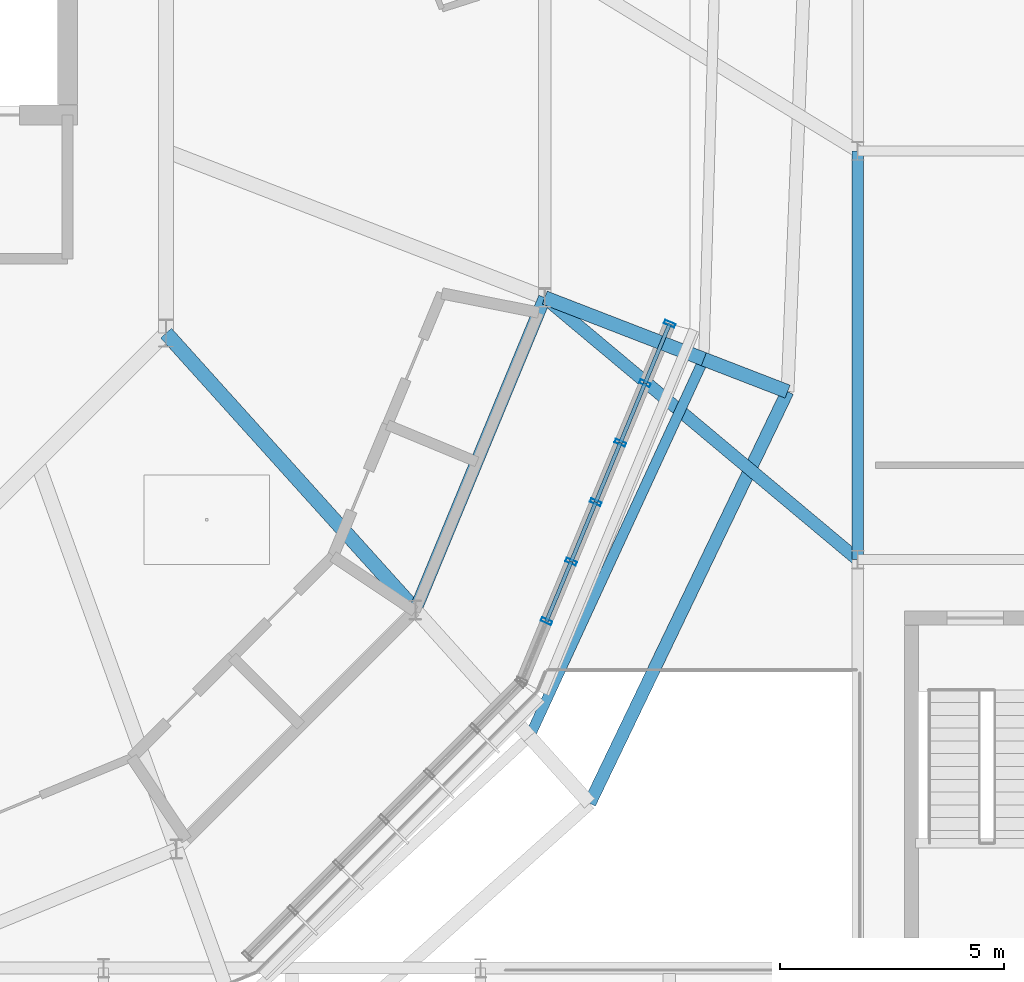
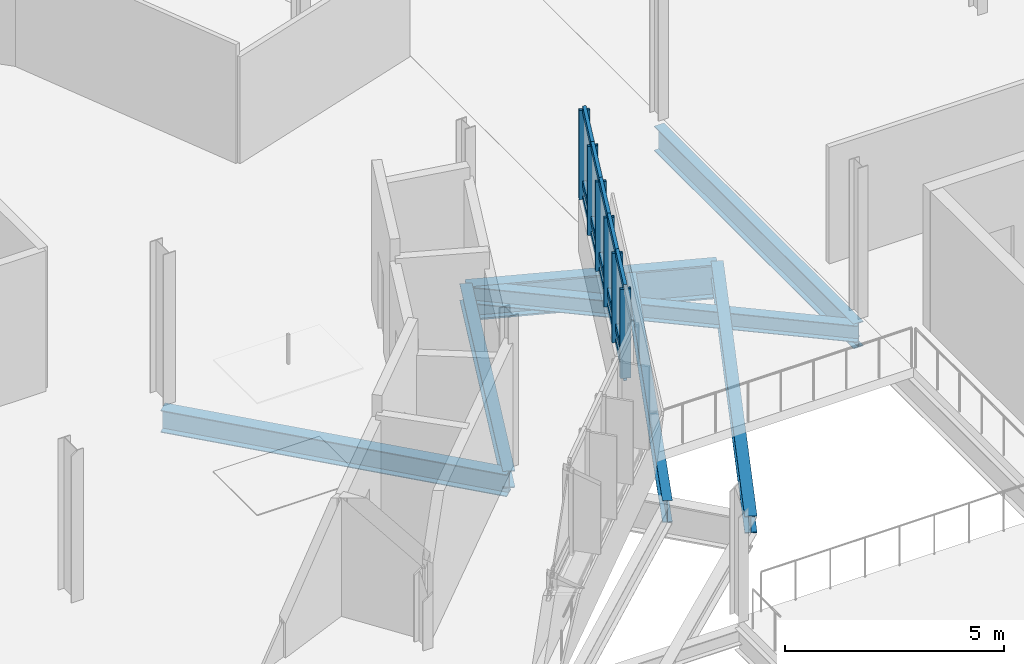
# One storey, part 25 of 107: 21 members, 8 beams, 1 element without a shape of its own.
"""IFC4 building model written with IfcOpenShell, lengths in metres."""

from ifc_helpers import new_model, si_unit, derived_unit, direction, frame, origin, origin_2d, place, context, subcontext, project, spatial, hollow_rectangle, i_section, extrude, material, layer, layer_set, material_profile, profile_set, type_object, element, aggregate, save


model = new_model("IFC4")

# Units and contexts
model_context = context("Model", 3, precision=1e-05, world=origin(), true_north=direction((0.0, 1.0)))
body_context = subcontext(model_context, "Body", "Model", "MODEL_VIEW")
ifc_project = project(units=[si_unit("LENGTHUNIT", "METRE"), si_unit("AREAUNIT", "SQUARE_METRE"), si_unit("VOLUMEUNIT", "CUBIC_METRE"), si_unit("PLANEANGLEUNIT", "RADIAN"), si_unit("MASSUNIT", "GRAM", prefix="KILO"), derived_unit("THERMALTRANSMITTANCEUNIT", [(si_unit("MASSUNIT", "GRAM", prefix="KILO"), 1), (si_unit("TIMEUNIT", "SECOND"), -3), (si_unit("THERMODYNAMICTEMPERATUREUNIT", "KELVIN"), -1)])], contexts=[model_context])

# Site, building, storey
site_placement = place(None, origin())
site = spatial("IfcSite", under=ifc_project, at=site_placement, CompositionType="ELEMENT")
building_placement = place(site_placement, origin())
building = spatial("IfcBuilding", under=site, at=building_placement, Name="Makaiwela Harbour Ferry Terminal", CompositionType="ELEMENT")
storey_placement = place(building_placement, frame((0.0, 0.0, 9.60009765625)))
storey = spatial("IfcBuildingStorey", under=building, at=storey_placement, Name="L02", CompositionType="ELEMENT", Elevation=9.60009765625)

# Curtain wall, members
ifc_material_1 = material(Name="Marine anodised aluminium 6063-T6", Category="aluminium")
ifc_layer = layer(ifc_material_1, 0.199951171875)
ifc_layer_set = layer_set([ifc_layer], Name="Marine anodised aluminium 6063-T6")
curtain_wall_type = type_object("IfcCurtainWallType", Name="ENV-CW-04", PredefinedType="USERDEFINED", material=ifc_layer_set)
curtain_wall_placement = place(storey_placement, origin())
curtain_wall = element("IfcCurtainWall", 1, at=curtain_wall_placement, inside=storey, type_object=curtain_wall_type, Name="Unitised Curtain Wall CWA-028", ObjectType="UNITIZED CURTAIN WALL", PredefinedType="USERDEFINED")
ifc_material_profile_1 = material_profile(ifc_material_1, hollow_rectangle(XDim=0.0849609375, YDim=0.25, WallThickness=0.0048828125, at=origin_2d()), Name="CWM-250X85")
ifc_profile_set_1 = profile_set([ifc_material_profile_1], Name="Marine anodised aluminium 6063-T6")
member_type_1 = type_object("IfcMemberType", Name="CW-MUL-250", PredefinedType="MULLION", material=ifc_profile_set_1)
member_1_placement = place(storey_placement, frame((56.068603515625, 57.128662109375, 1.47998046875), z_axis=(0.0, 0.0, 1.0), x_axis=(0.382683432365, 0.923879532511, 0.0)))
member_1 = element("IfcMember", 2, at=member_1_placement, type_object=member_type_1, Name="Curtain Wall Mullion CWA-028-2", PredefinedType="MULLION", context=body_context, shape_type="SweptSolid", body=[
    extrude(hollow_rectangle(XDim=0.0849609375, YDim=0.25, WallThickness=0.0048828125, at=origin_2d()), origin(), (0.0, 0.0, 1.0), 2.47998046875),
])
member_2_placement = place(storey_placement, frame((56.617431640625, 58.453125, 1.47998046875), z_axis=(0.0, 0.0, 1.0), x_axis=(0.382683432365, 0.923879532511, 0.0)))
member_2 = element("IfcMember", 3, at=member_2_placement, type_object=member_type_1, Name="Curtain Wall Mullion CWA-028-3", PredefinedType="MULLION", context=body_context, shape_type="SweptSolid", body=[
    extrude(hollow_rectangle(XDim=0.0849609375, YDim=0.25, WallThickness=0.0048828125, at=origin_2d()), origin(), (0.0, 0.0, 1.0), 2.47998046875),
])
member_3_placement = place(storey_placement, frame((57.166015625, 59.777587890625, 1.47998046875), z_axis=(0.0, 0.0, 1.0), x_axis=(0.382683432365, 0.923879532511, 0.0)))
member_3 = element("IfcMember", 4, at=member_3_placement, type_object=member_type_1, Name="Curtain Wall Mullion CWA-028-4", PredefinedType="MULLION", context=body_context, shape_type="SweptSolid", body=[
    extrude(hollow_rectangle(XDim=0.0849609375, YDim=0.25, WallThickness=0.0048828125, at=origin_2d()), origin(), (0.0, 0.0, 1.0), 2.47998046875),
])
member_4_placement = place(storey_placement, frame((57.714599609375, 61.102294921875, 1.47998046875), z_axis=(0.0, 0.0, 1.0), x_axis=(0.382683432365, 0.923879532511, 0.0)))
member_4 = element("IfcMember", 5, at=member_4_placement, type_object=member_type_1, Name="Curtain Wall Mullion CWA-028-5", PredefinedType="MULLION", context=body_context, shape_type="SweptSolid", body=[
    extrude(hollow_rectangle(XDim=0.0849609375, YDim=0.25, WallThickness=0.0048828125, at=origin_2d()), origin(), (0.0, 0.0, 1.0), 2.47998046875),
])
member_5_placement = place(storey_placement, frame((58.26318359375, 62.4267578125, 1.47998046875), z_axis=(0.0, 0.0, 1.0), x_axis=(0.382683432365, 0.923879532511, 0.0)))
member_5 = element("IfcMember", 6, at=member_5_placement, type_object=member_type_1, Name="Curtain Wall Mullion CWA-028-6", PredefinedType="MULLION", context=body_context, shape_type="SweptSolid", body=[
    extrude(hollow_rectangle(XDim=0.0849609375, YDim=0.25, WallThickness=0.0048828125, at=origin_2d()), origin(), (0.0, 0.0, 1.0), 2.47998046875),
])
member_6_placement = place(storey_placement, frame((58.81201171875, 63.751220703125, 1.47998046875), z_axis=(0.0, 0.0, 1.0), x_axis=(0.382683432365, 0.923879532511, 0.0)))
member_6 = element("IfcMember", 7, at=member_6_placement, type_object=member_type_1, Name="Curtain Wall Mullion CWA-028-7", PredefinedType="MULLION", context=body_context, shape_type="SweptSolid", body=[
    extrude(hollow_rectangle(XDim=0.0849609375, YDim=0.25, WallThickness=0.0048828125, at=origin_2d()), origin(), (0.0, 0.0, 1.0), 2.47998046875),
])
ifc_material_profile_2 = material_profile(ifc_material_1, hollow_rectangle(XDim=0.0849609375, YDim=0.199951171875, WallThickness=0.0048828125, at=origin_2d()), Name="CWT-200X85")
ifc_profile_set_2 = profile_set([ifc_material_profile_2], Name="Marine anodised aluminium 6063-T6")
member_type_2 = type_object("IfcMemberType", Name="CW-TRN-200", PredefinedType="USERDEFINED", material=ifc_profile_set_2)
member_7_placement = place(storey_placement, frame((56.068603515625, 57.128662109375, 1.47998046875), z_axis=(0.382812998896, 0.923825853652, 0.0), x_axis=(-0.923825853652, 0.382812998896, 0.0)))
member_7 = element("IfcMember", 8, at=member_7_placement, type_object=member_type_2, Name="Curtain Wall Transom CWA-028-2-1", ObjectType="TRANSOM", PredefinedType="USERDEFINED", context=body_context, shape_type="SweptSolid", body=[
    extrude(hollow_rectangle(XDim=0.0849609375, YDim=0.199951171875, WallThickness=0.0048828125, at=origin_2d()), origin(), (0.0, 0.0, 1.0), 1.43359375),
])
member_8_placement = place(storey_placement, frame((56.068603515625, 57.128662109375, 1.89990234375), z_axis=(0.382812998896, 0.923825853652, 0.0), x_axis=(-0.923825853652, 0.382812998896, 0.0)))
member_8 = element("IfcMember", 9, at=member_8_placement, type_object=member_type_2, Name="Curtain Wall Transom CWA-028-2-2", ObjectType="TRANSOM", PredefinedType="USERDEFINED", context=body_context, shape_type="SweptSolid", body=[
    extrude(hollow_rectangle(XDim=0.0849609375, YDim=0.199951171875, WallThickness=0.0048828125, at=origin_2d()), origin(), (0.0, 0.0, 1.0), 1.43359375),
])
member_9_placement = place(storey_placement, frame((56.068603515625, 57.128662109375, 3.9599609375), z_axis=(0.382812998896, 0.923825853652, 0.0), x_axis=(-0.923825853652, 0.382812998896, 0.0)))
member_9 = element("IfcMember", 10, at=member_9_placement, type_object=member_type_2, Name="Curtain Wall Transom CWA-028-2-3", ObjectType="TRANSOM", PredefinedType="USERDEFINED", context=body_context, shape_type="SweptSolid", body=[
    extrude(hollow_rectangle(XDim=0.0849609375, YDim=0.199951171875, WallThickness=0.0048828125, at=origin_2d()), origin(), (0.0, 0.0, 1.0), 1.43359375),
])
member_10_placement = place(storey_placement, frame((56.617431640625, 58.453125, 1.47998046875), z_axis=(0.382667649558, 0.923886069806, 0.0), x_axis=(-0.923886069806, 0.382667649558, 0.0)))
member_10 = element("IfcMember", 11, at=member_10_placement, type_object=member_type_2, Name="Curtain Wall Transom CWA-028-3-1", ObjectType="TRANSOM", PredefinedType="USERDEFINED", context=body_context, shape_type="SweptSolid", body=[
    extrude(hollow_rectangle(XDim=0.0849609375, YDim=0.199951171875, WallThickness=0.0048828125, at=origin_2d()), origin(), (0.0, 0.0, 1.0), 1.43359375),
])
member_11_placement = place(storey_placement, frame((56.617431640625, 58.453125, 1.89990234375), z_axis=(0.382667649558, 0.923886069806, 0.0), x_axis=(-0.923886069806, 0.382667649558, 0.0)))
member_11 = element("IfcMember", 12, at=member_11_placement, type_object=member_type_2, Name="Curtain Wall Transom CWA-028-3-2", ObjectType="TRANSOM", PredefinedType="USERDEFINED", context=body_context, shape_type="SweptSolid", body=[
    extrude(hollow_rectangle(XDim=0.0849609375, YDim=0.199951171875, WallThickness=0.0048828125, at=origin_2d()), origin(), (0.0, 0.0, 1.0), 1.43359375),
])
member_12_placement = place(storey_placement, frame((56.617431640625, 58.453125, 3.9599609375), z_axis=(0.382667649558, 0.923886069806, 0.0), x_axis=(-0.923886069806, 0.382667649558, 0.0)))
member_12 = element("IfcMember", 13, at=member_12_placement, type_object=member_type_2, Name="Curtain Wall Transom CWA-028-3-3", ObjectType="TRANSOM", PredefinedType="USERDEFINED", context=body_context, shape_type="SweptSolid", body=[
    extrude(hollow_rectangle(XDim=0.0849609375, YDim=0.199951171875, WallThickness=0.0048828125, at=origin_2d()), origin(), (0.0, 0.0, 1.0), 1.43359375),
])
member_13_placement = place(storey_placement, frame((57.166015625, 59.777587890625, 1.47998046875), z_axis=(0.382607449574, 0.923911001953, 0.0), x_axis=(-0.923911001953, 0.382607449574, 0.0)))
member_13 = element("IfcMember", 14, at=member_13_placement, type_object=member_type_2, Name="Curtain Wall Transom CWA-028-4-1", ObjectType="TRANSOM", PredefinedType="USERDEFINED", context=body_context, shape_type="SweptSolid", body=[
    extrude(hollow_rectangle(XDim=0.0849609375, YDim=0.199951171875, WallThickness=0.0048828125, at=origin_2d()), origin(), (0.0, 0.0, 1.0), 1.433837890625),
])
member_14_placement = place(storey_placement, frame((57.166015625, 59.777587890625, 1.89990234375), z_axis=(0.382607449574, 0.923911001953, 0.0), x_axis=(-0.923911001953, 0.382607449574, 0.0)))
member_14 = element("IfcMember", 15, at=member_14_placement, type_object=member_type_2, Name="Curtain Wall Transom CWA-028-4-2", ObjectType="TRANSOM", PredefinedType="USERDEFINED", context=body_context, shape_type="SweptSolid", body=[
    extrude(hollow_rectangle(XDim=0.0849609375, YDim=0.199951171875, WallThickness=0.0048828125, at=origin_2d()), origin(), (0.0, 0.0, 1.0), 1.433837890625),
])
member_15_placement = place(storey_placement, frame((57.166015625, 59.777587890625, 3.9599609375), z_axis=(0.382607449574, 0.923911001953, 0.0), x_axis=(-0.923911001953, 0.382607449574, 0.0)))
member_15 = element("IfcMember", 16, at=member_15_placement, type_object=member_type_2, Name="Curtain Wall Transom CWA-028-4-3", ObjectType="TRANSOM", PredefinedType="USERDEFINED", context=body_context, shape_type="SweptSolid", body=[
    extrude(hollow_rectangle(XDim=0.0849609375, YDim=0.199951171875, WallThickness=0.0048828125, at=origin_2d()), origin(), (0.0, 0.0, 1.0), 1.433837890625),
])
member_16_placement = place(storey_placement, frame((57.714599609375, 61.102294921875, 1.47998046875), z_axis=(0.382667649558, 0.923886069806, 0.0), x_axis=(-0.923886069806, 0.382667649558, 0.0)))
member_16 = element("IfcMember", 17, at=member_16_placement, type_object=member_type_2, Name="Curtain Wall Transom CWA-028-5-1", ObjectType="TRANSOM", PredefinedType="USERDEFINED", context=body_context, shape_type="SweptSolid", body=[
    extrude(hollow_rectangle(XDim=0.0849609375, YDim=0.199951171875, WallThickness=0.0048828125, at=origin_2d()), origin(), (0.0, 0.0, 1.0), 1.43359375),
])
member_17_placement = place(storey_placement, frame((57.714599609375, 61.102294921875, 1.89990234375), z_axis=(0.382667649558, 0.923886069806, 0.0), x_axis=(-0.923886069806, 0.382667649558, 0.0)))
member_17 = element("IfcMember", 18, at=member_17_placement, type_object=member_type_2, Name="Curtain Wall Transom CWA-028-5-2", ObjectType="TRANSOM", PredefinedType="USERDEFINED", context=body_context, shape_type="SweptSolid", body=[
    extrude(hollow_rectangle(XDim=0.0849609375, YDim=0.199951171875, WallThickness=0.0048828125, at=origin_2d()), origin(), (0.0, 0.0, 1.0), 1.43359375),
])
member_18_placement = place(storey_placement, frame((57.714599609375, 61.102294921875, 3.9599609375), z_axis=(0.382667649558, 0.923886069806, 0.0), x_axis=(-0.923886069806, 0.382667649558, 0.0)))
member_18 = element("IfcMember", 19, at=member_18_placement, type_object=member_type_2, Name="Curtain Wall Transom CWA-028-5-3", ObjectType="TRANSOM", PredefinedType="USERDEFINED", context=body_context, shape_type="SweptSolid", body=[
    extrude(hollow_rectangle(XDim=0.0849609375, YDim=0.199951171875, WallThickness=0.0048828125, at=origin_2d()), origin(), (0.0, 0.0, 1.0), 1.43359375),
])
member_19_placement = place(storey_placement, frame((58.26318359375, 62.4267578125, 1.47998046875), z_axis=(0.382812998896, 0.923825853652, 0.0), x_axis=(-0.923825853652, 0.382812998896, 0.0)))
member_19 = element("IfcMember", 20, at=member_19_placement, type_object=member_type_2, Name="Curtain Wall Transom CWA-028-6-1", ObjectType="TRANSOM", PredefinedType="USERDEFINED", context=body_context, shape_type="SweptSolid", body=[
    extrude(hollow_rectangle(XDim=0.0849609375, YDim=0.199951171875, WallThickness=0.0048828125, at=origin_2d()), origin(), (0.0, 0.0, 1.0), 1.43359375),
])
member_20_placement = place(storey_placement, frame((58.26318359375, 62.4267578125, 1.89990234375), z_axis=(0.382812998896, 0.923825853652, 0.0), x_axis=(-0.923825853652, 0.382812998896, 0.0)))
member_20 = element("IfcMember", 21, at=member_20_placement, type_object=member_type_2, Name="Curtain Wall Transom CWA-028-6-2", ObjectType="TRANSOM", PredefinedType="USERDEFINED", context=body_context, shape_type="SweptSolid", body=[
    extrude(hollow_rectangle(XDim=0.0849609375, YDim=0.199951171875, WallThickness=0.0048828125, at=origin_2d()), origin(), (0.0, 0.0, 1.0), 1.43359375),
])
member_21_placement = place(storey_placement, frame((58.26318359375, 62.4267578125, 3.9599609375), z_axis=(0.382812998896, 0.923825853652, 0.0), x_axis=(-0.923825853652, 0.382812998896, 0.0)))
member_21 = element("IfcMember", 22, at=member_21_placement, type_object=member_type_2, Name="Curtain Wall Transom CWA-028-6-3", ObjectType="TRANSOM", PredefinedType="USERDEFINED", context=body_context, shape_type="SweptSolid", body=[
    extrude(hollow_rectangle(XDim=0.0849609375, YDim=0.199951171875, WallThickness=0.0048828125, at=origin_2d()), origin(), (0.0, 0.0, 1.0), 1.43359375),
])
aggregate(curtain_wall, [member_1, member_2, member_3, member_4, member_5, member_6, member_7, member_8, member_9, member_10, member_11, member_12, member_13, member_14, member_15, member_16, member_17, member_18, member_19, member_20, member_21])

# Beams
ifc_material_2 = material(Name="Steel ASTM A992 Grade 50", Category="steel")
ifc_material_profile_3 = material_profile(ifc_material_2, i_section(OverallWidth=0.280029296875, OverallDepth=0.462890625, WebThickness=0.0107421875, FlangeThickness=0.017333984375, at=origin_2d()), Name="W18X76")
ifc_profile_set_3 = profile_set([ifc_material_profile_3], Name="Steel ASTM A992 Grade 50")
beam_type_1 = type_object("IfcBeamType", Name="STR-BM-W18X76", PredefinedType="BEAM", material=ifc_profile_set_3)
beam_1_placement = place(storey_placement, frame((56.029296875, 64.334716796875, -0.49169921875), z_axis=(0.766823765562, -0.6418577043, 0.0), x_axis=(0.6418577043, 0.766823765562, 0.0)))
element("IfcBeam", 23, at=beam_1_placement, inside=storey, type_object=beam_type_1, Name="Neck tie beam 236", PredefinedType="BEAM", context=body_context, shape_type="SweptSolid", body=[
    extrude(i_section(OverallWidth=0.280029296875, OverallDepth=0.462890625, WebThickness=0.0107421875, FlangeThickness=0.017333984375, at=origin_2d()), origin(), (0.0, 0.0, 1.0), 9.09033203125),
])
ifc_material_profile_4 = material_profile(ifc_material_2, i_section(OverallWidth=0.324951171875, OverallDepth=0.615966796875, WebThickness=0.013916015625, FlangeThickness=0.021484375, at=origin_2d()), Name="W24X117")
ifc_profile_set_4 = profile_set([ifc_material_profile_4], Name="Steel ASTM A992 Grade 50")
beam_type_2 = type_object("IfcBeamType", Name="STR-GRD-W24X117", PredefinedType="USERDEFINED", material=ifc_profile_set_4)
beam_2_placement = place(storey_placement, frame((47.593017578125, 63.543701171875, -0.568115234375), z_axis=(0.669284852474, -0.743005912661, 0.0), x_axis=(0.743005912661, 0.669284852474, 0.0)))
element("IfcBeam", 24, at=beam_2_placement, inside=storey, type_object=beam_type_2, Name="Drum radial girder 192", ObjectType="GIRDER", PredefinedType="USERDEFINED", context=body_context, shape_type="SweptSolid", body=[
    extrude(i_section(OverallWidth=0.324951171875, OverallDepth=0.615966796875, WebThickness=0.013916015625, FlangeThickness=0.021484375, at=origin_2d()), origin(), (0.0, 0.0, 1.0), 8.299072265625),
])
ifc_material_profile_5 = material_profile(ifc_material_2, i_section(OverallWidth=0.22900390625, OverallDepth=0.612060546875, WebThickness=0.011962890625, FlangeThickness=0.01953125, at=origin_2d()), Name="W24X84")
ifc_profile_set_5 = profile_set([ifc_material_profile_5], Name="Steel ASTM A992 Grade 50")
beam_type_3 = type_object("IfcBeamType", Name="STR-GRD-W24X84", PredefinedType="USERDEFINED", material=ifc_profile_set_5)
beam_3_placement = place(storey_placement, frame((55.690673828125, 54.55419921875, -0.566162109375), z_axis=(0.419171842319, 0.907906915167, 0.0), x_axis=(-0.907906915167, 0.419171842319, 0.0)))
element("IfcBeam", 25, at=beam_3_placement, inside=storey, type_object=beam_type_3, Name="Drum overhang tie girder 221", ObjectType="GIRDER", PredefinedType="USERDEFINED", context=body_context, shape_type="SweptSolid", body=[
    extrude(i_section(OverallWidth=0.22900390625, OverallDepth=0.612060546875, WebThickness=0.011962890625, FlangeThickness=0.01953125, at=origin_2d()), origin(), (0.0, 0.0, 1.0), 9.261962890625),
])
ifc_material_profile_6 = material_profile(ifc_material_2, i_section(OverallWidth=0.256103515625, OverallDepth=0.693115234375, WebThickness=0.014404296875, FlangeThickness=0.023681640625, at=origin_2d()), Name="W27X114")
ifc_profile_set_6 = profile_set([ifc_material_profile_6], Name="Steel ASTM A992 Grade 50")
beam_type_4 = type_object("IfcBeamType", Name="STR-GRD-W27X114", PredefinedType="USERDEFINED", material=ifc_profile_set_6)
beam_4_placement = place(storey_placement, frame((63.0, 58.5, -0.606689453125), z_axis=(0.0, 1.0, 0.0), x_axis=(-1.0, 0.0, 0.0)))
element("IfcBeam", 26, at=beam_4_placement, inside=storey, type_object=beam_type_4, Name="Primary Y girder 1362", ObjectType="GIRDER", PredefinedType="USERDEFINED", context=body_context, shape_type="SweptSolid", body=[
    extrude(i_section(OverallWidth=0.256103515625, OverallDepth=0.693115234375, WebThickness=0.014404296875, FlangeThickness=0.023681640625, at=origin_2d()), origin(), (0.0, 0.0, 1.0), 9.10009765625),
])
ifc_material_profile_7 = material_profile(ifc_material_2, i_section(OverallWidth=0.31005859375, OverallDepth=0.949951171875, WebThickness=0.0244140625, FlangeThickness=0.0439453125, at=origin_2d()), Name="W36X256")
ifc_profile_set_7 = profile_set([ifc_material_profile_7], Name="Steel ASTM A992 Grade 50")
beam_type_5 = type_object("IfcBeamType", Name="STR-GRD-W36X256", PredefinedType="USERDEFINED", material=ifc_profile_set_7)
beam_5_placement = place(storey_placement, frame((56.029296875, 64.334716796875, -0.735107421875), z_axis=(0.93258344757, -0.360954447706, 0.0), x_axis=(0.360954447706, 0.93258344757, 0.0)))
element("IfcBeam", 27, at=beam_5_placement, inside=storey, type_object=beam_type_5, Name="Drum radial overhang 196", ObjectType="GIRDER", PredefinedType="USERDEFINED", context=body_context, shape_type="SweptSolid", body=[
    extrude(i_section(OverallWidth=0.31005859375, OverallDepth=0.949951171875, WebThickness=0.0244140625, FlangeThickness=0.0439453125, at=origin_2d()), origin(), (0.0, 0.0, 1.0), 3.7998046875),
])
beam_6_placement = place(storey_placement, frame((59.572998046875, 62.963134765625, -0.735107421875), z_axis=(0.932585330079, -0.360949583906, 0.0), x_axis=(0.360949583906, 0.932585330079, 0.0)))
element("IfcBeam", 28, at=beam_6_placement, inside=storey, type_object=beam_type_5, Name="Drum overhang radial girder 197", ObjectType="GIRDER", PredefinedType="USERDEFINED", context=body_context, shape_type="SweptSolid", body=[
    extrude(i_section(OverallWidth=0.31005859375, OverallDepth=0.949951171875, WebThickness=0.0244140625, FlangeThickness=0.0439453125, at=origin_2d()), origin(), (0.0, 0.0, 1.0), 2.0),
])
ifc_material_profile_8 = material_profile(ifc_material_2, i_section(OverallWidth=0.283935546875, OverallDepth=0.47607421875, WebThickness=0.014892578125, FlangeThickness=0.02392578125, at=origin_2d()), Name="W18X106")
ifc_profile_set_8 = profile_set([ifc_material_profile_8], Name="Steel ASTM A992 Grade 50")
beam_type_6 = type_object("IfcBeamType", Name="STR-SPN-W18X106", PredefinedType="SPANDREL", material=ifc_profile_set_8)
beam_7_placement = place(storey_placement, frame((53.1474609375, 57.37744140625, -0.498046875), z_axis=(0.382687752376, 0.923877743092, 0.0), x_axis=(-0.923877743092, 0.382687752376, 0.0)))
element("IfcBeam", 29, at=beam_7_placement, inside=storey, type_object=beam_type_6, Name="Drum column ring girder 146", PredefinedType="SPANDREL", context=body_context, shape_type="SweptSolid", body=[
    extrude(i_section(OverallWidth=0.283935546875, OverallDepth=0.47607421875, WebThickness=0.014892578125, FlangeThickness=0.02392578125, at=origin_2d()), origin(), (0.0, 0.0, 1.0), 7.530517578125),
])
beam_8_placement = place(storey_placement, frame((57.029296875, 53.068115234375, -0.498046875), z_axis=(0.433198134775, 0.901298716313, 0.0), x_axis=(-0.901298716313, 0.433198134775, 0.0)))
element("IfcBeam", 30, at=beam_8_placement, inside=storey, type_object=beam_type_6, Name="Drum perimeter spandrel 234", PredefinedType="SPANDREL", context=body_context, shape_type="SweptSolid", body=[
    extrude(i_section(OverallWidth=0.283935546875, OverallDepth=0.47607421875, WebThickness=0.014892578125, FlangeThickness=0.02392578125, at=origin_2d()), origin(), (0.0, 0.0, 1.0), 10.177734375),
])

save(model, "model.ifc")
